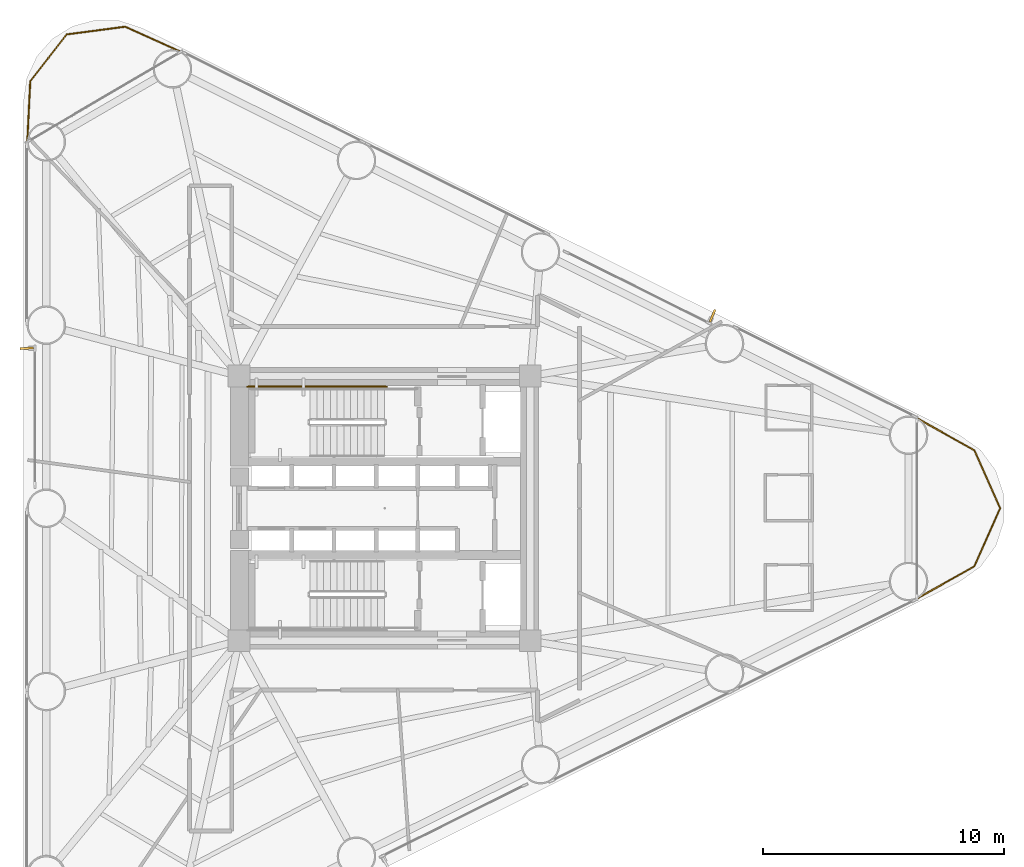
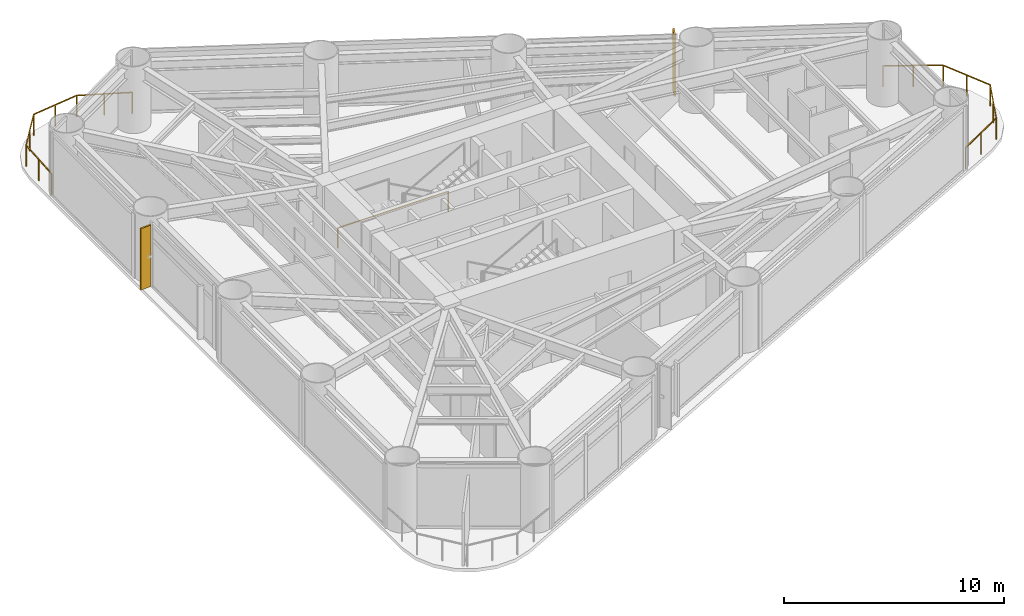
# One storey, part 10 of 10: 3 railings, 2 shading devices.
"""IFC4 building model written with IfcOpenShell, lengths in metres."""

from ifc_helpers import new_model, si_unit, direction, frame, origin, origin_2d, place, context, subcontext, project, spatial, rectangle, extrude, source, transform, mapped, material, material_profile, profile_set, type_object, element, save


model = new_model("IFC4")

# Units and contexts
model_context = context("Model", 3, precision=1e-05, world=origin(), true_north=direction((0.0, 1.0)))
body_context = subcontext(model_context, "Body", "Model", "MODEL_VIEW")
ifc_project = project(units=[si_unit("LENGTHUNIT", "METRE"), si_unit("AREAUNIT", "SQUARE_METRE"), si_unit("VOLUMEUNIT", "CUBIC_METRE"), si_unit("PLANEANGLEUNIT", "RADIAN"), si_unit("MASSUNIT", "GRAM", prefix="KILO")], contexts=[model_context])

# Site, building, storey
site_placement = place(None, origin())
site = spatial("IfcSite", under=ifc_project, at=site_placement, CompositionType="ELEMENT")
building_placement = place(site_placement, origin())
building = spatial("IfcBuilding", under=site, at=building_placement, Name="Yunling Apex Tower", CompositionType="ELEMENT")
storey_placement = place(building_placement, frame((0.0, 0.0, 34.89990234375)))
storey = spatial("IfcBuildingStorey", under=building, at=storey_placement, Name="L10", CompositionType="ELEMENT", Elevation=34.89990234375)

# Railings
ifc_material_1 = material(Name="Bronze anodised aluminium", Category="aluminium")
railing_type_1 = type_object("IfcRailingType", Name="RL-BAL-1200", PredefinedType="BALUSTRADE", material=ifc_material_1)
railing_1_placement = place(storey_placement, frame((22.1181640625, 3.74609375, 0.0)))
element("IfcRailing", 1, at=railing_1_placement, inside=storey, type_object=railing_type_1, Name="RL-CRNSILL-L10-1", PredefinedType="BALUSTRADE", context=body_context, shape_type="SweptSolid", body=[
    extrude(rectangle(XDim=0.0439453125, YDim=0.0439453125, at=origin_2d()), origin(), (0.0, 0.0, 1.0), 1.199951171875),
    extrude(rectangle(XDim=0.0439453125, YDim=0.0439453125, at=origin_2d()), frame((2.380615234375, -1.3349609375, 0.0)), (0.0, 0.0, 1.0), 1.199951171875),
    extrude(rectangle(XDim=0.050048828125, YDim=0.050048828125, at=origin_2d()), frame((0.033447265625, -0.018798828125, 1.1748046875), z_axis=(0.872222158118, -0.48910991289, 0.0), x_axis=(0.48910991289, 0.872222158118, 0.0)), (0.0, 0.0, 1.0), 2.652587890625),
    extrude(rectangle(XDim=0.0439453125, YDim=0.0439453125, at=origin_2d()), frame((1.1904296875, -0.66748046875, 0.0)), (0.0, 0.0, 1.0), 1.14599609375),
    extrude(rectangle(XDim=0.0439453125, YDim=0.0439453125, at=origin_2d()), frame((3.45263671875, -3.74609375, 0.0)), (0.0, 0.0, 1.0), 1.199951171875),
    extrude(rectangle(XDim=0.050048828125, YDim=0.050048828125, at=origin_2d()), frame((2.396240234375, -1.369873046875, 1.1748046875), z_axis=(0.406267230745, -0.913754309004, 0.0), x_axis=(0.913754309004, 0.406267230745, 0.0)), (0.0, 0.0, 1.0), 2.56201171875),
    extrude(rectangle(XDim=0.0439453125, YDim=0.0439453125, at=origin_2d()), frame((2.91650390625, -2.54052734375, 0.0)), (0.0, 0.0, 1.0), 1.14599609375),
    extrude(rectangle(XDim=0.0439453125, YDim=0.0439453125, at=origin_2d()), frame((2.380615234375, -6.1572265625, 0.0)), (0.0, 0.0, 1.0), 1.199951171875),
    extrude(rectangle(XDim=0.050048828125, YDim=0.050048828125, at=origin_2d()), frame((3.43701171875, -3.781005859375, 1.1748046875), z_axis=(-0.406267230745, -0.913754309004, 0.0), x_axis=(0.913754309004, -0.406267230745, 0.0)), (0.0, 0.0, 1.0), 2.56201171875),
    extrude(rectangle(XDim=0.0439453125, YDim=0.0439453125, at=origin_2d()), frame((2.91650390625, -4.95166015625, 0.0)), (0.0, 0.0, 1.0), 1.14599609375),
    extrude(rectangle(XDim=0.0439453125, YDim=0.0439453125, at=origin_2d()), frame((0.0, -7.4921875, 0.0)), (0.0, 0.0, 1.0), 1.199951171875),
    extrude(rectangle(XDim=0.050048828125, YDim=0.050048828125, at=origin_2d()), frame((2.34716796875, -6.176025390625, 1.1748046875), z_axis=(-0.872222158118, -0.48910991289, 0.0), x_axis=(0.48910991289, -0.872222158118, 0.0)), (0.0, 0.0, 1.0), 2.652587890625),
    extrude(rectangle(XDim=0.0439453125, YDim=0.0439453125, at=origin_2d()), frame((1.1904296875, -6.82470703125, 0.0)), (0.0, 0.0, 1.0), 1.14599609375),
])
railing_2_placement = place(storey_placement, frame((-14.842041015625, 15.218994140625, 0.0)))
element("IfcRailing", 2, at=railing_2_placement, inside=storey, type_object=railing_type_1, Name="RL-CRNSILL-L10-2", PredefinedType="BALUSTRADE", context=body_context, shape_type="SweptSolid", body=[
    extrude(rectangle(XDim=0.0439453125, YDim=0.0439453125, at=origin_2d()), origin(), (0.0, 0.0, 1.0), 1.199951171875),
    extrude(rectangle(XDim=0.0439453125, YDim=0.0439453125, at=origin_2d()), frame((0.1240234375, 2.52783203125, 0.0)), (0.0, 0.0, 1.0), 1.199951171875),
    extrude(rectangle(XDim=0.050048828125, YDim=0.050048828125, at=origin_2d()), frame((0.001953125, 0.038330078125, 1.1748046875), z_axis=(0.049004218115, 0.998798571588, 0.0), x_axis=(-0.998798571588, 0.049004218115, 0.0)), (0.0, 0.0, 1.0), 2.4541015625),
    extrude(rectangle(XDim=0.0439453125, YDim=0.0439453125, at=origin_2d()), frame((0.06201171875, 1.263916015625, 0.0)), (0.0, 0.0, 1.0), 1.14599609375),
    extrude(rectangle(XDim=0.0439453125, YDim=0.0439453125, at=origin_2d()), frame((1.640625, 4.469482421875, 0.0)), (0.0, 0.0, 1.0), 1.199951171875),
    extrude(rectangle(XDim=0.050048828125, YDim=0.050048828125, at=origin_2d()), frame((0.147705078125, 2.55810546875, 1.1748046875), z_axis=(0.615565197226, 0.788085964832, 0.0), x_axis=(-0.788085964832, 0.615565197226, 0.0)), (0.0, 0.0, 1.0), 2.38720703125),
    extrude(rectangle(XDim=0.0439453125, YDim=0.0439453125, at=origin_2d()), frame((0.88232421875, 3.49853515625, 0.0)), (0.0, 0.0, 1.0), 1.14599609375),
    extrude(rectangle(XDim=0.0439453125, YDim=0.0439453125, at=origin_2d()), frame((4.075439453125, 4.7890625, 0.0)), (0.0, 0.0, 1.0), 1.199951171875),
    extrude(rectangle(XDim=0.050048828125, YDim=0.050048828125, at=origin_2d()), frame((1.6787109375, 4.474365234375, 1.1748046875), z_axis=(0.991495866646, 0.130138182035, 0.0), x_axis=(-0.130138182035, 0.991495866646, 0.0)), (0.0, 0.0, 1.0), 2.379150390625),
    extrude(rectangle(XDim=0.0439453125, YDim=0.0439453125, at=origin_2d()), frame((2.85791015625, 4.62939453125, 0.0)), (0.0, 0.0, 1.0), 1.14599609375),
    extrude(rectangle(XDim=0.0439453125, YDim=0.0439453125, at=origin_2d()), frame((6.382568359375, 3.74609375, 0.0)), (0.0, 0.0, 1.0), 1.199951171875),
    extrude(rectangle(XDim=0.050048828125, YDim=0.050048828125, at=origin_2d()), frame((4.1103515625, 4.773193359375, 1.1748046875), z_axis=(0.911216522497, -0.411927723186, 0.0), x_axis=(0.411927723186, 0.911216522497, 0.0)), (0.0, 0.0, 1.0), 2.455322265625),
    extrude(rectangle(XDim=0.0439453125, YDim=0.0439453125, at=origin_2d()), frame((5.22900390625, 4.267578125, 0.0)), (0.0, 0.0, 1.0), 1.14599609375),
])
ifc_material_2 = material(Name="Steel Q355B", Category="steel")
railing_type_2 = type_object("IfcRailingType", Name="RL-GRD-1150", PredefinedType="GUARDRAIL", material=ifc_material_2)
railing_3_placement = place(storey_placement, frame((0.090087890625, 5.06005859375, 0.0)))
element("IfcRailing", 3, at=railing_3_placement, inside=storey, type_object=railing_type_2, Name="L10 ST-1 stair guard 7", PredefinedType="GUARDRAIL", context=body_context, shape_type="SweptSolid", body=[
    extrude(rectangle(XDim=0.0439453125, YDim=0.0439453125, at=origin_2d()), origin(), (0.0, 0.0, 1.0), 1.14990234375),
    extrude(rectangle(XDim=0.0439453125, YDim=0.0439453125, at=origin_2d()), frame((-5.7900390625, 0.0, 0.0)), (0.0, 0.0, 1.0), 1.14990234375),
    extrude(rectangle(XDim=0.050048828125, YDim=0.050048828125, at=origin_2d()), frame((-0.038330078125, 0.0, 1.125), z_axis=(-1.0, 0.0, 0.0), x_axis=(0.0, -1.0, 0.0)), (0.0, 0.0, 1.0), 5.71337890625),
])

# Shading devices
ifc_material_profile = material_profile(ifc_material_1, rectangle(XDim=0.0849609375, YDim=0.550048828125, at=origin_2d()))
ifc_profile_set = profile_set([ifc_material_profile], Name="Bronze anodised aluminium")
shading_device_type = type_object("IfcShadingDeviceType", Name="FN-BRZ-3", PredefinedType="USERDEFINED", material=ifc_profile_set)
shared_shape = source(origin(), body_context, "Body", "SweptSolid", [
    extrude(rectangle(XDim=0.0849609375, YDim=0.550048828125, at=origin_2d()), origin(), (0.0, 0.0, 1.0), 3.39501953125),
])
for number, where, z_axis, x_axis, name in (
    (4, (13.623291015625, 8.002197265625, 0.06005859375), (0.0, 0.0, 1.0), (-0.922470722095, 0.386067049717, 0.0), "CW-L10-F2-B2-FIN-01"),
    (5, (-14.866943359375, 6.64697265625, 0.06005859375), (0.0, 0.0, 1.0), (0.06540312923, -0.997858923239, 0.0), "CW-L10-F3-B2-FIN-01"),
):
    element("IfcShadingDevice", number, at=place(storey_placement, frame(where, z_axis=z_axis, x_axis=x_axis)), inside=storey, type_object=shading_device_type, Name=name, ObjectType="FIN", PredefinedType="USERDEFINED", context=body_context, shape_type="MappedRepresentation", body=[
        mapped(shared_shape, transform((0.0, 0.0, 0.0), scale=1.0)),
    ])

save(model, "model.ifc")
